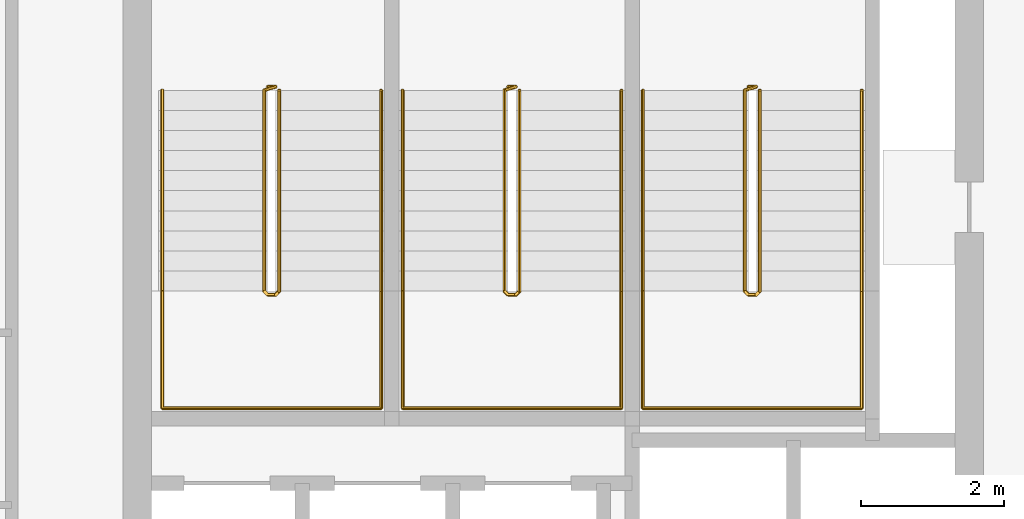
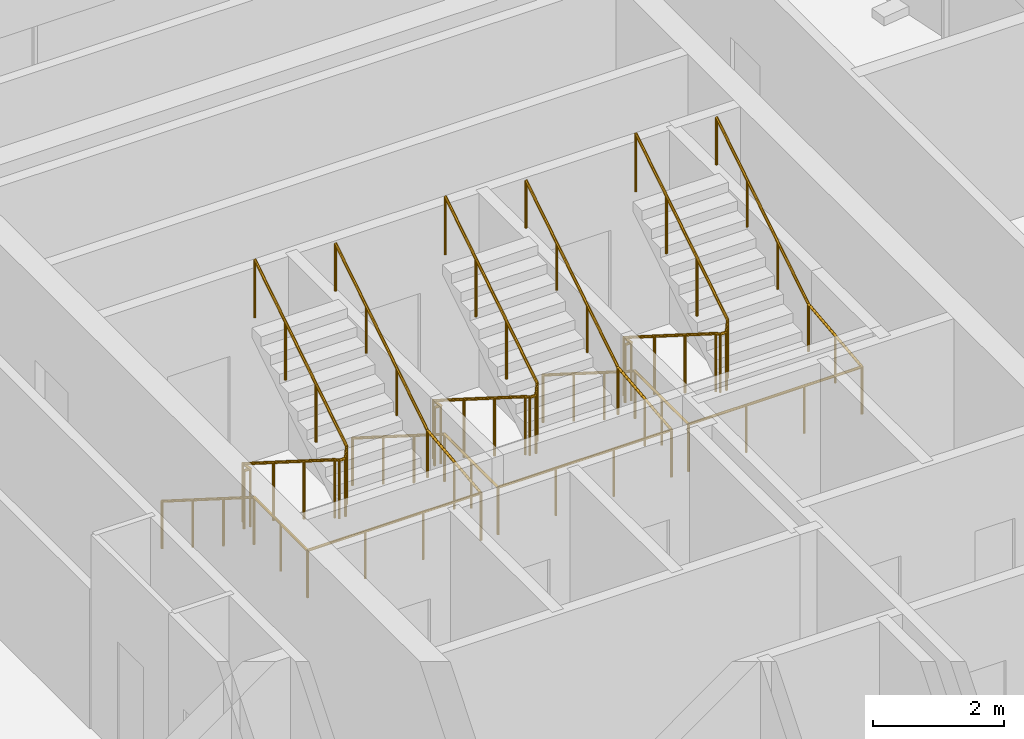
# One storey, part 9 of 9: 6 railings.
"""IFC4 building model written with IfcOpenShell, lengths in metres."""

from ifc_helpers import new_model, si_unit, direction, frame, origin, origin_2d, place, context, subcontext, project, spatial, circle, extrude, material, type_object, element, save


model = new_model("IFC4")

# Units and contexts
model_context = context("Model", 3, precision=1e-05, world=origin(), true_north=direction((0.0, 1.0)))
body_context = subcontext(model_context, "Body", "Model", "MODEL_VIEW")
ifc_project = project(units=[si_unit("LENGTHUNIT", "METRE"), si_unit("AREAUNIT", "SQUARE_METRE"), si_unit("VOLUMEUNIT", "CUBIC_METRE"), si_unit("PLANEANGLEUNIT", "RADIAN"), si_unit("MASSUNIT", "GRAM", prefix="KILO")], contexts=[model_context])

# Site, building, storey
site_placement = place(None, origin())
site = spatial("IfcSite", under=ifc_project, at=site_placement, CompositionType="ELEMENT")
building_placement = place(site_placement, origin())
building = spatial("IfcBuilding", under=site, at=building_placement, Name="Tessera Arch", CompositionType="ELEMENT")
storey_placement = place(building_placement, frame((0.0, 0.0, 277.39990234375)))
storey = spatial("IfcBuildingStorey", under=building, at=storey_placement, Name="L67", CompositionType="ELEMENT", Elevation=277.39990234375)

# Railings
ifc_material_1 = material(Name="Painted steel balustrade", Category="steel")
railing_type_1 = type_object("IfcRailingType", Name="Stair guard 1100", PredefinedType="GUARDRAIL", material=ifc_material_1)
railing_1_placement = place(storey_placement, frame((38.219970703125, 43.6298828125, 0.0)))
element("IfcRailing", 1, at=railing_1_placement, inside=storey, type_object=railing_type_1, Name="L67 S1a stair guard 1", PredefinedType="GUARDRAIL", context=body_context, shape_type="SweptSolid", body=[
    extrude(circle(Radius=0.02392578125, at=origin_2d()), frame((-0.00390625, 0.0, 1.076171875), z_axis=(1.0, 0.0, 0.0), x_axis=(0.0, 1.0, 0.0)), (0.0, 0.0, 1.0), 0.1181640625),
    extrude(circle(Radius=0.02392578125, at=origin_2d()), frame((0.11279296875, 0.000732421875, 1.0732421875), z_axis=(-0.655842288892, -0.203950955692, 0.72682521955), x_axis=(0.296948579431, -0.954893471113, 0.0)), (0.0, 0.0, 1.0), 0.252197265625),
    extrude(circle(Radius=0.02392578125, at=origin_2d()), frame((-0.050048828125, -0.04638671875, 1.25146484375), z_axis=(0.0, -0.844908973607, 0.534910110503), x_axis=(1.0, 0.0, 0.0)), (0.0, 0.0, 1.0), 3.322021484375),
    extrude(circle(Radius=0.02392578125, at=origin_2d()), frame((-0.052978515625, -2.846923828125, 3.0263671875), z_axis=(0.707106781187, -0.707106781187, 0.0), x_axis=(0.707106781187, 0.707106781187, 0.0)), (0.0, 0.0, 1.0), 0.078857421875),
    extrude(circle(Radius=0.02392578125, at=origin_2d()), frame((-0.00390625, -2.89990234375, 3.0263671875), z_axis=(1.0, 0.0, 0.0), x_axis=(0.0, 1.0, 0.0)), (0.0, 0.0, 1.0), 0.1181640625),
    extrude(circle(Radius=0.02392578125, at=origin_2d()), frame((0.109130859375, -2.90087890625, 3.0224609375), z_axis=(0.261041864531, 0.262321481514, 0.929001929653), x_axis=(-0.708833529934, 0.705375805398, 0.0)), (0.0, 0.0, 1.0), 0.19873046875),
    extrude(circle(Radius=0.02392578125, at=origin_2d()), frame((0.159912109375, -2.853271484375, 3.201416015625), z_axis=(0.0, 0.844908973607, 0.534910110503), x_axis=(-1.0, 0.0, 0.0)), (0.0, 0.0, 1.0), 3.322021484375),
    extrude(circle(Radius=0.02099609375, at=origin_2d()), origin(), (0.0, 0.0, 1.0), 1.06396484375),
    extrude(circle(Radius=0.02099609375, at=origin_2d()), frame((0.110107421875, 0.0, 0.0)), (0.0, 0.0, 1.0), 1.06396484375),
    extrude(circle(Radius=0.02099609375, at=origin_2d()), frame((-0.050048828125, -0.0498046875, 0.177490234375)), (0.0, 0.0, 1.0), 1.06396484375),
    extrude(circle(Radius=0.02099609375, at=origin_2d()), frame((-0.050048828125, -0.983154296875, 0.768310546875)), (0.0, 0.0, 1.0), 1.06396484375),
    extrude(circle(Radius=0.02099609375, at=origin_2d()), frame((-0.050048828125, -1.91650390625, 1.359375)), (0.0, 0.0, 1.0), 1.06396484375),
    extrude(circle(Radius=0.02099609375, at=origin_2d()), frame((-0.050048828125, -2.849853515625, 1.9501953125)), (0.0, 0.0, 1.0), 1.06396484375),
    extrude(circle(Radius=0.02099609375, at=origin_2d()), frame((0.0, -2.89990234375, 1.9501953125)), (0.0, 0.0, 1.0), 1.06396484375),
    extrude(circle(Radius=0.02099609375, at=origin_2d()), frame((0.110107421875, -2.89990234375, 1.9501953125)), (0.0, 0.0, 1.0), 1.06396484375),
    extrude(circle(Radius=0.02099609375, at=origin_2d()), frame((0.159912109375, -2.849853515625, 2.12744140625)), (0.0, 0.0, 1.0), 1.06396484375),
    extrude(circle(Radius=0.02099609375, at=origin_2d()), frame((0.159912109375, -1.91650390625, 2.71826171875)), (0.0, 0.0, 1.0), 1.06396484375),
    extrude(circle(Radius=0.02099609375, at=origin_2d()), frame((0.159912109375, -0.983154296875, 3.309326171875)), (0.0, 0.0, 1.0), 1.06396484375),
    extrude(circle(Radius=0.02099609375, at=origin_2d()), frame((0.159912109375, -0.0498046875, 3.900146484375)), (0.0, 0.0, 1.0), 1.06396484375),
])
railing_2_placement = place(storey_placement, frame((41.570068359375, 43.6298828125, 0.0)))
element("IfcRailing", 2, at=railing_2_placement, inside=storey, type_object=railing_type_1, Name="L67 S1b stair guard 1", PredefinedType="GUARDRAIL", context=body_context, shape_type="SweptSolid", body=[
    extrude(circle(Radius=0.02392578125, at=origin_2d()), frame((-0.00390625, 0.0, 1.076171875), z_axis=(1.0, 0.0, 0.0), x_axis=(0.0, 1.0, 0.0)), (0.0, 0.0, 1.0), 0.117919921875),
    extrude(circle(Radius=0.02392578125, at=origin_2d()), frame((0.112548828125, 0.000732421875, 1.0732421875), z_axis=(-0.655271994328, -0.204084712737, 0.727301892941), x_axis=(0.297361876254, -0.954764847777, 0.0)), (0.0, 0.0, 1.0), 0.251953125),
    extrude(circle(Radius=0.02392578125, at=origin_2d()), frame((-0.050048828125, -0.04638671875, 1.25146484375), z_axis=(0.0, -0.844908973607, 0.534910110503), x_axis=(1.0, 0.0, 0.0)), (0.0, 0.0, 1.0), 3.322021484375),
    extrude(circle(Radius=0.02392578125, at=origin_2d()), frame((-0.052978515625, -2.846923828125, 3.0263671875), z_axis=(0.707106781187, -0.707106781187, 0.0), x_axis=(0.707106781187, 0.707106781187, 0.0)), (0.0, 0.0, 1.0), 0.078857421875),
    extrude(circle(Radius=0.02392578125, at=origin_2d()), frame((-0.00390625, -2.89990234375, 3.0263671875), z_axis=(1.0, 0.0, 0.0), x_axis=(0.0, 1.0, 0.0)), (0.0, 0.0, 1.0), 0.117919921875),
    extrude(circle(Radius=0.02392578125, at=origin_2d()), frame((0.10888671875, -2.90087890625, 3.0224609375), z_axis=(0.262233686654, 0.262233686654, 0.928691007369), x_axis=(-0.707106781187, 0.707106781187, 0.0)), (0.0, 0.0, 1.0), 0.198974609375),
    extrude(circle(Radius=0.02392578125, at=origin_2d()), frame((0.159912109375, -2.853271484375, 3.201416015625), z_axis=(0.0, 0.844908973607, 0.534910110503), x_axis=(-1.0, 0.0, 0.0)), (0.0, 0.0, 1.0), 3.322021484375),
    extrude(circle(Radius=0.02099609375, at=origin_2d()), origin(), (0.0, 0.0, 1.0), 1.06396484375),
    extrude(circle(Radius=0.02099609375, at=origin_2d()), frame((0.10986328125, 0.0, 0.0)), (0.0, 0.0, 1.0), 1.06396484375),
    extrude(circle(Radius=0.02099609375, at=origin_2d()), frame((-0.050048828125, -0.0498046875, 0.177490234375)), (0.0, 0.0, 1.0), 1.06396484375),
    extrude(circle(Radius=0.02099609375, at=origin_2d()), frame((-0.050048828125, -0.983154296875, 0.768310546875)), (0.0, 0.0, 1.0), 1.06396484375),
    extrude(circle(Radius=0.02099609375, at=origin_2d()), frame((-0.050048828125, -1.91650390625, 1.359375)), (0.0, 0.0, 1.0), 1.06396484375),
    extrude(circle(Radius=0.02099609375, at=origin_2d()), frame((-0.050048828125, -2.849853515625, 1.9501953125)), (0.0, 0.0, 1.0), 1.06396484375),
    extrude(circle(Radius=0.02099609375, at=origin_2d()), frame((0.0, -2.89990234375, 1.9501953125)), (0.0, 0.0, 1.0), 1.06396484375),
    extrude(circle(Radius=0.02099609375, at=origin_2d()), frame((0.10986328125, -2.89990234375, 1.9501953125)), (0.0, 0.0, 1.0), 1.06396484375),
    extrude(circle(Radius=0.02099609375, at=origin_2d()), frame((0.159912109375, -2.849853515625, 2.12744140625)), (0.0, 0.0, 1.0), 1.06396484375),
    extrude(circle(Radius=0.02099609375, at=origin_2d()), frame((0.159912109375, -1.91650390625, 2.71826171875)), (0.0, 0.0, 1.0), 1.06396484375),
    extrude(circle(Radius=0.02099609375, at=origin_2d()), frame((0.159912109375, -0.983154296875, 3.309326171875)), (0.0, 0.0, 1.0), 1.06396484375),
    extrude(circle(Radius=0.02099609375, at=origin_2d()), frame((0.159912109375, -0.0498046875, 3.900146484375)), (0.0, 0.0, 1.0), 1.06396484375),
])
railing_3_placement = place(storey_placement, frame((44.919921875, 43.6298828125, 0.0)))
element("IfcRailing", 3, at=railing_3_placement, inside=storey, type_object=railing_type_1, Name="L67 S1c stair guard 1", PredefinedType="GUARDRAIL", context=body_context, shape_type="SweptSolid", body=[
    extrude(circle(Radius=0.02392578125, at=origin_2d()), frame((-0.00390625, 0.0, 1.076171875), z_axis=(1.0, 0.0, 0.0), x_axis=(0.0, 1.0, 0.0)), (0.0, 0.0, 1.0), 0.1181640625),
    extrude(circle(Radius=0.02392578125, at=origin_2d()), frame((0.11279296875, 0.000732421875, 1.0732421875), z_axis=(-0.655271994328, -0.204084712737, 0.727301892941), x_axis=(0.297361876254, -0.954764847777, 0.0)), (0.0, 0.0, 1.0), 0.251953125),
    extrude(circle(Radius=0.02392578125, at=origin_2d()), frame((-0.0498046875, -0.04638671875, 1.25146484375), z_axis=(0.0, -0.844908973607, 0.534910110503), x_axis=(1.0, 0.0, 0.0)), (0.0, 0.0, 1.0), 3.322021484375),
    extrude(circle(Radius=0.02392578125, at=origin_2d()), frame((-0.052734375, -2.846923828125, 3.0263671875), z_axis=(0.705375805398, -0.708833529934, 0.0), x_axis=(0.708833529934, 0.705375805398, 0.0)), (0.0, 0.0, 1.0), 0.07861328125),
    extrude(circle(Radius=0.02392578125, at=origin_2d()), frame((-0.00390625, -2.89990234375, 3.0263671875), z_axis=(1.0, 0.0, 0.0), x_axis=(0.0, 1.0, 0.0)), (0.0, 0.0, 1.0), 0.1181640625),
    extrude(circle(Radius=0.02392578125, at=origin_2d()), frame((0.109130859375, -2.90087890625, 3.0224609375), z_axis=(0.262233686654, 0.262233686654, 0.928691007369), x_axis=(-0.707106781187, 0.707106781187, 0.0)), (0.0, 0.0, 1.0), 0.198974609375),
    extrude(circle(Radius=0.02392578125, at=origin_2d()), frame((0.16015625, -2.853271484375, 3.201416015625), z_axis=(0.0, 0.844908973607, 0.534910110503), x_axis=(-1.0, 0.0, 0.0)), (0.0, 0.0, 1.0), 3.322021484375),
    extrude(circle(Radius=0.02099609375, at=origin_2d()), origin(), (0.0, 0.0, 1.0), 1.06396484375),
    extrude(circle(Radius=0.02099609375, at=origin_2d()), frame((0.110107421875, 0.0, 0.0)), (0.0, 0.0, 1.0), 1.06396484375),
    extrude(circle(Radius=0.02099609375, at=origin_2d()), frame((-0.0498046875, -0.0498046875, 0.177490234375)), (0.0, 0.0, 1.0), 1.06396484375),
    extrude(circle(Radius=0.02099609375, at=origin_2d()), frame((-0.0498046875, -0.983154296875, 0.768310546875)), (0.0, 0.0, 1.0), 1.06396484375),
    extrude(circle(Radius=0.02099609375, at=origin_2d()), frame((-0.0498046875, -1.91650390625, 1.359375)), (0.0, 0.0, 1.0), 1.06396484375),
    extrude(circle(Radius=0.02099609375, at=origin_2d()), frame((-0.0498046875, -2.849853515625, 1.9501953125)), (0.0, 0.0, 1.0), 1.06396484375),
    extrude(circle(Radius=0.02099609375, at=origin_2d()), frame((0.0, -2.89990234375, 1.9501953125)), (0.0, 0.0, 1.0), 1.06396484375),
    extrude(circle(Radius=0.02099609375, at=origin_2d()), frame((0.110107421875, -2.89990234375, 1.9501953125)), (0.0, 0.0, 1.0), 1.06396484375),
    extrude(circle(Radius=0.02099609375, at=origin_2d()), frame((0.16015625, -2.849853515625, 2.12744140625)), (0.0, 0.0, 1.0), 1.06396484375),
    extrude(circle(Radius=0.02099609375, at=origin_2d()), frame((0.16015625, -1.91650390625, 2.71826171875)), (0.0, 0.0, 1.0), 1.06396484375),
    extrude(circle(Radius=0.02099609375, at=origin_2d()), frame((0.16015625, -0.983154296875, 3.309326171875)), (0.0, 0.0, 1.0), 1.06396484375),
    extrude(circle(Radius=0.02099609375, at=origin_2d()), frame((0.16015625, -0.0498046875, 3.900146484375)), (0.0, 0.0, 1.0), 1.06396484375),
])
ifc_material_2 = material(Name="Painted steel handrail", Category="steel")
railing_type_2 = type_object("IfcRailingType", Name="Stair handrail 900", PredefinedType="HANDRAIL", material=ifc_material_2)
railing_4_placement = place(storey_placement, frame((36.75, 43.580078125, 0.177490234375)))
element("IfcRailing", 4, at=railing_4_placement, inside=storey, type_object=railing_type_2, Name="L67 S1a stair handrail", PredefinedType="HANDRAIL", context=body_context, shape_type="SweptSolid", body=[
    extrude(circle(Radius=0.02392578125, at=origin_2d()), frame((0.0, 0.00341796875, 0.873779296875), z_axis=(0.0, -0.844908973607, 0.534910110503), x_axis=(1.0, 0.0, 0.0)), (0.0, 0.0, 1.0), 3.322021484375),
    extrude(circle(Radius=0.02392578125, at=origin_2d()), frame((0.0, -2.796142578125, 2.6484375), z_axis=(0.0, -1.0, 0.0), x_axis=(1.0, 0.0, 0.0)), (0.0, 0.0, 1.0), 1.63818359375),
    extrude(circle(Radius=0.02392578125, at=origin_2d()), frame((-0.00390625, -4.43017578125, 2.6484375), z_axis=(1.0, 0.0, 0.0), x_axis=(0.0, 1.0, 0.0)), (0.0, 0.0, 1.0), 3.05810546875),
    extrude(circle(Radius=0.02392578125, at=origin_2d()), frame((3.050048828125, -4.43408203125, 2.648193359375), z_axis=(0.0, 0.994140637614, 0.108094369164), x_axis=(-1.0, 0.0, 0.0)), (0.0, 0.0, 1.0), 1.647705078125),
    extrude(circle(Radius=0.02392578125, at=origin_2d()), frame((3.050048828125, -2.803466796875, 2.82373046875), z_axis=(0.0, 0.844908973607, 0.534910110503), x_axis=(-1.0, 0.0, 0.0)), (0.0, 0.0, 1.0), 3.322021484375),
    extrude(circle(Radius=0.02099609375, at=origin_2d()), origin(), (0.0, 0.0, 1.0), 0.86376953125),
    extrude(circle(Radius=0.02099609375, at=origin_2d()), frame((0.0, -0.933349609375, 0.5908203125)), (0.0, 0.0, 1.0), 0.86376953125),
    extrude(circle(Radius=0.02099609375, at=origin_2d()), frame((0.0, -1.86669921875, 1.181884765625)), (0.0, 0.0, 1.0), 0.86376953125),
    extrude(circle(Radius=0.02099609375, at=origin_2d()), frame((0.0, -2.800048828125, 1.772705078125)), (0.0, 0.0, 1.0), 0.86376953125),
    extrude(circle(Radius=0.02099609375, at=origin_2d()), frame((0.0, -3.615234375, 1.772705078125)), (0.0, 0.0, 1.0), 0.86376953125),
    extrude(circle(Radius=0.02099609375, at=origin_2d()), frame((0.0, -4.43017578125, 1.772705078125)), (0.0, 0.0, 1.0), 0.86376953125),
    extrude(circle(Radius=0.02099609375, at=origin_2d()), frame((1.0166015625, -4.43017578125, 1.772705078125)), (0.0, 0.0, 1.0), 0.86376953125),
    extrude(circle(Radius=0.02099609375, at=origin_2d()), frame((2.033447265625, -4.43017578125, 1.772705078125)), (0.0, 0.0, 1.0), 0.86376953125),
    extrude(circle(Radius=0.02099609375, at=origin_2d()), frame((3.050048828125, -4.43017578125, 1.772705078125)), (0.0, 0.0, 1.0), 0.86376953125),
    extrude(circle(Radius=0.02099609375, at=origin_2d()), frame((3.050048828125, -3.615234375, 1.861328125)), (0.0, 0.0, 1.0), 0.86376953125),
    extrude(circle(Radius=0.02099609375, at=origin_2d()), frame((3.050048828125, -2.800048828125, 1.949951171875)), (0.0, 0.0, 1.0), 0.86376953125),
    extrude(circle(Radius=0.02099609375, at=origin_2d()), frame((3.050048828125, -1.86669921875, 2.540771484375)), (0.0, 0.0, 1.0), 0.86376953125),
    extrude(circle(Radius=0.02099609375, at=origin_2d()), frame((3.050048828125, -0.933349609375, 3.1318359375)), (0.0, 0.0, 1.0), 0.86376953125),
    extrude(circle(Radius=0.02099609375, at=origin_2d()), frame((3.050048828125, 0.0, 3.72265625)), (0.0, 0.0, 1.0), 0.86376953125),
])
railing_5_placement = place(storey_placement, frame((40.10009765625, 43.580078125, 0.177490234375)))
element("IfcRailing", 5, at=railing_5_placement, inside=storey, type_object=railing_type_2, Name="L67 S1b stair handrail", PredefinedType="HANDRAIL", context=body_context, shape_type="SweptSolid", body=[
    extrude(circle(Radius=0.02392578125, at=origin_2d()), frame((0.0, 0.00341796875, 0.873779296875), z_axis=(0.0, -0.844908973607, 0.534910110503), x_axis=(1.0, 0.0, 0.0)), (0.0, 0.0, 1.0), 3.322021484375),
    extrude(circle(Radius=0.02392578125, at=origin_2d()), frame((0.0, -2.796142578125, 2.6484375), z_axis=(0.0, -1.0, 0.0), x_axis=(1.0, 0.0, 0.0)), (0.0, 0.0, 1.0), 1.63818359375),
    extrude(circle(Radius=0.02392578125, at=origin_2d()), frame((-0.00390625, -4.43017578125, 2.6484375), z_axis=(1.0, 0.0, 0.0), x_axis=(0.0, 1.0, 0.0)), (0.0, 0.0, 1.0), 3.057861328125),
    extrude(circle(Radius=0.02392578125, at=origin_2d()), frame((3.0498046875, -4.43408203125, 2.648193359375), z_axis=(0.0, 0.994140637614, 0.108094369164), x_axis=(-1.0, 0.0, 0.0)), (0.0, 0.0, 1.0), 1.647705078125),
    extrude(circle(Radius=0.02392578125, at=origin_2d()), frame((3.0498046875, -2.803466796875, 2.82373046875), z_axis=(0.0, 0.844908973607, 0.534910110503), x_axis=(-1.0, 0.0, 0.0)), (0.0, 0.0, 1.0), 3.322021484375),
    extrude(circle(Radius=0.02099609375, at=origin_2d()), origin(), (0.0, 0.0, 1.0), 0.86376953125),
    extrude(circle(Radius=0.02099609375, at=origin_2d()), frame((0.0, -0.933349609375, 0.5908203125)), (0.0, 0.0, 1.0), 0.86376953125),
    extrude(circle(Radius=0.02099609375, at=origin_2d()), frame((0.0, -1.86669921875, 1.181884765625)), (0.0, 0.0, 1.0), 0.86376953125),
    extrude(circle(Radius=0.02099609375, at=origin_2d()), frame((0.0, -2.800048828125, 1.772705078125)), (0.0, 0.0, 1.0), 0.86376953125),
    extrude(circle(Radius=0.02099609375, at=origin_2d()), frame((0.0, -3.615234375, 1.772705078125)), (0.0, 0.0, 1.0), 0.86376953125),
    extrude(circle(Radius=0.02099609375, at=origin_2d()), frame((0.0, -4.43017578125, 1.772705078125)), (0.0, 0.0, 1.0), 0.86376953125),
    extrude(circle(Radius=0.02099609375, at=origin_2d()), frame((1.0166015625, -4.43017578125, 1.772705078125)), (0.0, 0.0, 1.0), 0.86376953125),
    extrude(circle(Radius=0.02099609375, at=origin_2d()), frame((2.033203125, -4.43017578125, 1.772705078125)), (0.0, 0.0, 1.0), 0.86376953125),
    extrude(circle(Radius=0.02099609375, at=origin_2d()), frame((3.0498046875, -4.43017578125, 1.772705078125)), (0.0, 0.0, 1.0), 0.86376953125),
    extrude(circle(Radius=0.02099609375, at=origin_2d()), frame((3.0498046875, -3.615234375, 1.861328125)), (0.0, 0.0, 1.0), 0.86376953125),
    extrude(circle(Radius=0.02099609375, at=origin_2d()), frame((3.0498046875, -2.800048828125, 1.949951171875)), (0.0, 0.0, 1.0), 0.86376953125),
    extrude(circle(Radius=0.02099609375, at=origin_2d()), frame((3.0498046875, -1.86669921875, 2.540771484375)), (0.0, 0.0, 1.0), 0.86376953125),
    extrude(circle(Radius=0.02099609375, at=origin_2d()), frame((3.0498046875, -0.933349609375, 3.1318359375)), (0.0, 0.0, 1.0), 0.86376953125),
    extrude(circle(Radius=0.02099609375, at=origin_2d()), frame((3.0498046875, 0.0, 3.72265625)), (0.0, 0.0, 1.0), 0.86376953125),
])
railing_6_placement = place(storey_placement, frame((43.449951171875, 43.580078125, 0.177490234375)))
element("IfcRailing", 6, at=railing_6_placement, inside=storey, type_object=railing_type_2, Name="L67 S1c stair handrail", PredefinedType="HANDRAIL", context=body_context, shape_type="SweptSolid", body=[
    extrude(circle(Radius=0.02392578125, at=origin_2d()), frame((0.0, 0.00341796875, 0.873779296875), z_axis=(0.0, -0.844908973607, 0.534910110503), x_axis=(1.0, 0.0, 0.0)), (0.0, 0.0, 1.0), 3.322021484375),
    extrude(circle(Radius=0.02392578125, at=origin_2d()), frame((0.0, -2.796142578125, 2.6484375), z_axis=(0.0, -1.0, 0.0), x_axis=(1.0, 0.0, 0.0)), (0.0, 0.0, 1.0), 1.63818359375),
    extrude(circle(Radius=0.02392578125, at=origin_2d()), frame((-0.00390625, -4.43017578125, 2.6484375), z_axis=(1.0, 0.0, 0.0), x_axis=(0.0, 1.0, 0.0)), (0.0, 0.0, 1.0), 3.05810546875),
    extrude(circle(Radius=0.02392578125, at=origin_2d()), frame((3.050048828125, -4.43408203125, 2.648193359375), z_axis=(0.0, 0.994140637614, 0.108094369164), x_axis=(-1.0, 0.0, 0.0)), (0.0, 0.0, 1.0), 1.647705078125),
    extrude(circle(Radius=0.02392578125, at=origin_2d()), frame((3.050048828125, -2.803466796875, 2.82373046875), z_axis=(0.0, 0.844908973607, 0.534910110503), x_axis=(-1.0, 0.0, 0.0)), (0.0, 0.0, 1.0), 3.322021484375),
    extrude(circle(Radius=0.02099609375, at=origin_2d()), origin(), (0.0, 0.0, 1.0), 0.86376953125),
    extrude(circle(Radius=0.02099609375, at=origin_2d()), frame((0.0, -0.933349609375, 0.5908203125)), (0.0, 0.0, 1.0), 0.86376953125),
    extrude(circle(Radius=0.02099609375, at=origin_2d()), frame((0.0, -1.86669921875, 1.181884765625)), (0.0, 0.0, 1.0), 0.86376953125),
    extrude(circle(Radius=0.02099609375, at=origin_2d()), frame((0.0, -2.800048828125, 1.772705078125)), (0.0, 0.0, 1.0), 0.86376953125),
    extrude(circle(Radius=0.02099609375, at=origin_2d()), frame((0.0, -3.615234375, 1.772705078125)), (0.0, 0.0, 1.0), 0.86376953125),
    extrude(circle(Radius=0.02099609375, at=origin_2d()), frame((0.0, -4.43017578125, 1.772705078125)), (0.0, 0.0, 1.0), 0.86376953125),
    extrude(circle(Radius=0.02099609375, at=origin_2d()), frame((1.0166015625, -4.43017578125, 1.772705078125)), (0.0, 0.0, 1.0), 0.86376953125),
    extrude(circle(Radius=0.02099609375, at=origin_2d()), frame((2.033447265625, -4.43017578125, 1.772705078125)), (0.0, 0.0, 1.0), 0.86376953125),
    extrude(circle(Radius=0.02099609375, at=origin_2d()), frame((3.050048828125, -4.43017578125, 1.772705078125)), (0.0, 0.0, 1.0), 0.86376953125),
    extrude(circle(Radius=0.02099609375, at=origin_2d()), frame((3.050048828125, -3.615234375, 1.861328125)), (0.0, 0.0, 1.0), 0.86376953125),
    extrude(circle(Radius=0.02099609375, at=origin_2d()), frame((3.050048828125, -2.800048828125, 1.949951171875)), (0.0, 0.0, 1.0), 0.86376953125),
    extrude(circle(Radius=0.02099609375, at=origin_2d()), frame((3.050048828125, -1.86669921875, 2.540771484375)), (0.0, 0.0, 1.0), 0.86376953125),
    extrude(circle(Radius=0.02099609375, at=origin_2d()), frame((3.050048828125, -0.933349609375, 3.1318359375)), (0.0, 0.0, 1.0), 0.86376953125),
    extrude(circle(Radius=0.02099609375, at=origin_2d()), frame((3.050048828125, 0.0, 3.72265625)), (0.0, 0.0, 1.0), 0.86376953125),
])

save(model, "model.ifc")
